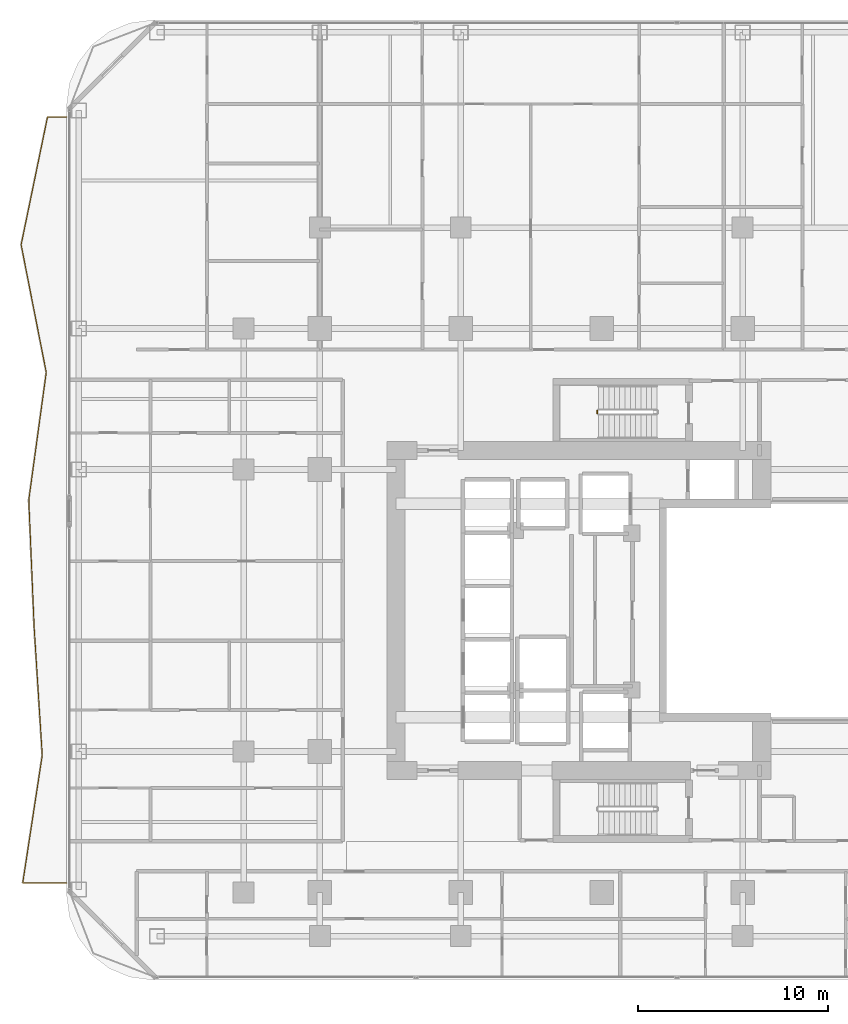
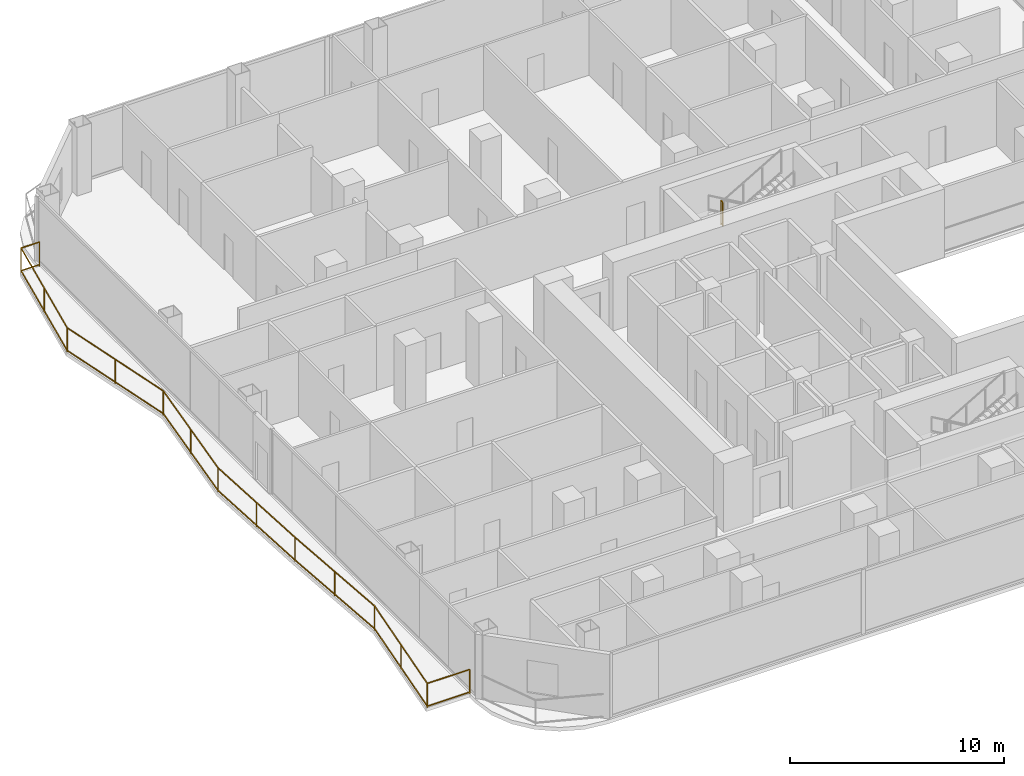
# One storey, part 25 of 27: 2 railings.
"""IFC4 building model written with IfcOpenShell, lengths in metres."""

from ifc_helpers import new_model, si_unit, direction, frame, origin, origin_2d, place, context, subcontext, project, spatial, rectangle, extrude, material, type_object, element, save


model = new_model("IFC4")

# Units and contexts
model_context = context("Model", 3, precision=1e-05, world=origin(), true_north=direction((0.0, 1.0)))
body_context = subcontext(model_context, "Body", "Model", "MODEL_VIEW")
ifc_project = project(units=[si_unit("LENGTHUNIT", "METRE"), si_unit("AREAUNIT", "SQUARE_METRE"), si_unit("VOLUMEUNIT", "CUBIC_METRE"), si_unit("PLANEANGLEUNIT", "RADIAN"), si_unit("MASSUNIT", "GRAM", prefix="KILO")], contexts=[model_context])

# Site, building, storey
site_placement = place(None, origin())
site = spatial("IfcSite", under=ifc_project, at=site_placement, CompositionType="ELEMENT")
building_placement = place(site_placement, origin())
building = spatial("IfcBuilding", under=site, at=building_placement, Name="Khorvyn Point Tower", CompositionType="ELEMENT")
storey_placement = place(building_placement, frame((0.0, 0.0, 96.89990234375)))
storey = spatial("IfcBuildingStorey", under=building, at=storey_placement, Name="L24", CompositionType="ELEMENT", Elevation=96.89990234375)

# Railings
ifc_material_1 = material(Name="Anodised aluminium 6063-T6 and laminated safety glass", Category="aluminium")
railing_type_1 = type_object("IfcRailingType", Name="Laminated Glass and Aluminium Balcony Guardrail 1400", PredefinedType="BALUSTRADE", material=ifc_material_1)
railing_1_placement = place(storey_placement, frame((-28.10009765625, 25.89990234375, 0.0)))
element("IfcRailing", 1, at=railing_1_placement, inside=storey, type_object=railing_type_1, Name="L24 West Balcony Guardrail", PredefinedType="BALUSTRADE", context=body_context, shape_type="SweptSolid", body=[
    extrude(rectangle(XDim=0.048095703125, YDim=0.048095703125, at=origin_2d()), frame((0.0, 0.0, 1.3759765625), z_axis=(-1.0, 0.0, 0.0), x_axis=(0.0, -1.0, 0.0)), (0.0, 0.0, 1.0), 0.9951171875),
    extrude(rectangle(XDim=0.048095703125, YDim=0.048095703125, at=origin_2d()), frame((0.0, 0.0, 0.080078125), z_axis=(-1.0, 0.0, 0.0), x_axis=(0.0, -1.0, 0.0)), (0.0, 0.0, 1.0), 0.9951171875),
    extrude(rectangle(XDim=0.048095703125, YDim=0.048095703125, at=origin_2d()), frame((-0.9951171875, 0.0, 1.3759765625), z_axis=(-0.20233655163, -0.979316046981, 0.0), x_axis=(0.979316046981, -0.20233655163, 0.0)), (0.0, 0.0, 1.0), 6.841552734375),
    extrude(rectangle(XDim=0.048095703125, YDim=0.048095703125, at=origin_2d()), frame((-0.9951171875, 0.0, 0.080078125), z_axis=(-0.20233655163, -0.979316046981, 0.0), x_axis=(0.979316046981, -0.20233655163, 0.0)), (0.0, 0.0, 1.0), 6.841552734375),
    extrude(rectangle(XDim=0.048095703125, YDim=0.048095703125, at=origin_2d()), frame((-2.37939453125, -6.699951171875, 1.3759765625), z_axis=(0.193241355357, -0.981151251632, 0.0), x_axis=(0.981151251632, 0.193241355357, 0.0)), (0.0, 0.0, 1.0), 6.82861328125),
    extrude(rectangle(XDim=0.048095703125, YDim=0.048095703125, at=origin_2d()), frame((-2.37939453125, -6.699951171875, 0.080078125), z_axis=(0.193241355357, -0.981151251632, 0.0), x_axis=(0.981151251632, 0.193241355357, 0.0)), (0.0, 0.0, 1.0), 6.82861328125),
    extrude(rectangle(XDim=0.048095703125, YDim=0.048095703125, at=origin_2d()), frame((-1.059814453125, -13.39990234375, 1.3759765625), z_axis=(-0.135778529509, -0.990739214387, 0.0), x_axis=(0.990739214387, -0.135778529509, 0.0)), (0.0, 0.0, 1.0), 6.7626953125),
    extrude(rectangle(XDim=0.048095703125, YDim=0.048095703125, at=origin_2d()), frame((-1.059814453125, -13.39990234375, 0.080078125), z_axis=(-0.135778529509, -0.990739214387, 0.0), x_axis=(0.990739214387, -0.135778529509, 0.0)), (0.0, 0.0, 1.0), 6.7626953125),
    extrude(rectangle(XDim=0.048095703125, YDim=0.048095703125, at=origin_2d()), frame((-1.97802734375, -20.099853515625, 1.3759765625), z_axis=(0.042159036431, -0.999110912585, 0.0), x_axis=(0.999110912585, 0.042159036431, 0.0)), (0.0, 0.0, 1.0), 6.705810546875),
    extrude(rectangle(XDim=0.048095703125, YDim=0.048095703125, at=origin_2d()), frame((-1.97802734375, -20.099853515625, 0.080078125), z_axis=(0.042159036431, -0.999110912585, 0.0), x_axis=(0.999110912585, 0.042159036431, 0.0)), (0.0, 0.0, 1.0), 6.705810546875),
    extrude(rectangle(XDim=0.048095703125, YDim=0.048095703125, at=origin_2d()), frame((-1.6953125, -26.7998046875, 1.3759765625), z_axis=(0.063274788245, -0.997996142865, 0.0), x_axis=(0.997996142865, 0.063274788245, 0.0)), (0.0, 0.0, 1.0), 6.713623046875),
    extrude(rectangle(XDim=0.048095703125, YDim=0.048095703125, at=origin_2d()), frame((-1.6953125, -26.7998046875, 0.080078125), z_axis=(0.063274788245, -0.997996142865, 0.0), x_axis=(0.997996142865, 0.063274788245, 0.0)), (0.0, 0.0, 1.0), 6.713623046875),
    extrude(rectangle(XDim=0.048095703125, YDim=0.048095703125, at=origin_2d()), frame((-1.2705078125, -33.5, 1.3759765625), z_axis=(-0.151071842168, -0.988522786032, 0.0), x_axis=(0.988522786032, -0.151071842168, 0.0)), (0.0, 0.0, 1.0), 6.77783203125),
    extrude(rectangle(XDim=0.048095703125, YDim=0.048095703125, at=origin_2d()), frame((-1.2705078125, -33.5, 0.080078125), z_axis=(-0.151071842168, -0.988522786032, 0.0), x_axis=(0.988522786032, -0.151071842168, 0.0)), (0.0, 0.0, 1.0), 6.77783203125),
    extrude(rectangle(XDim=0.048095703125, YDim=0.048095703125, at=origin_2d()), frame((-2.29443359375, -40.199951171875, 1.3759765625), z_axis=(1.0, 0.0, 0.0), x_axis=(0.0, 1.0, 0.0)), (0.0, 0.0, 1.0), 2.29443359375),
    extrude(rectangle(XDim=0.048095703125, YDim=0.048095703125, at=origin_2d()), frame((-2.29443359375, -40.199951171875, 0.080078125), z_axis=(1.0, 0.0, 0.0), x_axis=(0.0, 1.0, 0.0)), (0.0, 0.0, 1.0), 2.29443359375),
    extrude(rectangle(XDim=0.0419921875, YDim=0.0419921875, at=origin_2d()), origin(), (0.0, 0.0, 1.0), 1.351806640625),
    extrude(rectangle(XDim=0.0419921875, YDim=0.0419921875, at=origin_2d()), frame((-0.9951171875, 0.0, 0.0)), (0.0, 0.0, 1.0), 1.351806640625),
    extrude(rectangle(XDim=0.0419921875, YDim=0.0419921875, at=origin_2d()), frame((-1.687255859375, -3.35009765625, 0.0)), (0.0, 0.0, 1.0), 1.351806640625),
    extrude(rectangle(XDim=0.0419921875, YDim=0.0419921875, at=origin_2d()), frame((-2.37939453125, -6.699951171875, 0.0)), (0.0, 0.0, 1.0), 1.351806640625),
    extrude(rectangle(XDim=0.0419921875, YDim=0.0419921875, at=origin_2d()), frame((-1.7197265625, -10.0498046875, 0.0)), (0.0, 0.0, 1.0), 1.351806640625),
    extrude(rectangle(XDim=0.0419921875, YDim=0.0419921875, at=origin_2d()), frame((-1.059814453125, -13.39990234375, 0.0)), (0.0, 0.0, 1.0), 1.351806640625),
    extrude(rectangle(XDim=0.0419921875, YDim=0.0419921875, at=origin_2d()), frame((-1.51904296875, -16.75, 0.0)), (0.0, 0.0, 1.0), 1.351806640625),
    extrude(rectangle(XDim=0.0419921875, YDim=0.0419921875, at=origin_2d()), frame((-1.97802734375, -20.099853515625, 0.0)), (0.0, 0.0, 1.0), 1.351806640625),
    extrude(rectangle(XDim=0.0419921875, YDim=0.0419921875, at=origin_2d()), frame((-1.836669921875, -23.44970703125, 0.0)), (0.0, 0.0, 1.0), 1.351806640625),
    extrude(rectangle(XDim=0.0419921875, YDim=0.0419921875, at=origin_2d()), frame((-1.6953125, -26.7998046875, 0.0)), (0.0, 0.0, 1.0), 1.351806640625),
    extrude(rectangle(XDim=0.0419921875, YDim=0.0419921875, at=origin_2d()), frame((-1.48291015625, -30.14990234375, 0.0)), (0.0, 0.0, 1.0), 1.351806640625),
    extrude(rectangle(XDim=0.0419921875, YDim=0.0419921875, at=origin_2d()), frame((-1.2705078125, -33.5, 0.0)), (0.0, 0.0, 1.0), 1.351806640625),
    extrude(rectangle(XDim=0.0419921875, YDim=0.0419921875, at=origin_2d()), frame((-1.782470703125, -36.85009765625, 0.0)), (0.0, 0.0, 1.0), 1.351806640625),
    extrude(rectangle(XDim=0.0419921875, YDim=0.0419921875, at=origin_2d()), frame((-2.29443359375, -40.199951171875, 0.0)), (0.0, 0.0, 1.0), 1.351806640625),
    extrude(rectangle(XDim=0.0419921875, YDim=0.0419921875, at=origin_2d()), frame((0.0, -40.199951171875, 0.0)), (0.0, 0.0, 1.0), 1.351806640625),
])
ifc_material_2 = material(Name="Stainless steel 1.4301", Category="steel")
railing_type_2 = type_object("IfcRailingType", Name="Stainless Steel 304 Stair Well Guardrail 1400", PredefinedType="GUARDRAIL", material=ifc_material_2)
railing_2_placement = place(storey_placement, frame((-0.22998046875, 10.5, 1.9501953125)))
element("IfcRailing", 2, at=railing_2_placement, inside=storey, type_object=railing_type_2, Name="L24 ST-02 stair guard 2", PredefinedType="GUARDRAIL", context=body_context, shape_type="SweptSolid", body=[
    extrude(rectangle(XDim=0.048095703125, YDim=0.048095703125, at=origin_2d()), frame((0.0, 0.0, 1.3759765625), z_axis=(0.0, -1.0, 0.0), x_axis=(1.0, 0.0, 0.0)), (0.0, 0.0, 1.0), 0.159912109375),
    extrude(rectangle(XDim=0.048095703125, YDim=0.048095703125, at=origin_2d()), frame((0.0, 0.0, 0.080078125), z_axis=(0.0, -1.0, 0.0), x_axis=(1.0, 0.0, 0.0)), (0.0, 0.0, 1.0), 0.159912109375),
    extrude(rectangle(XDim=0.0419921875, YDim=0.0419921875, at=origin_2d()), origin(), (0.0, 0.0, 1.0), 1.351806640625),
    extrude(rectangle(XDim=0.0419921875, YDim=0.0419921875, at=origin_2d()), frame((0.0, -0.159912109375, 0.0)), (0.0, 0.0, 1.0), 1.351806640625),
])

save(model, "model.ifc")
